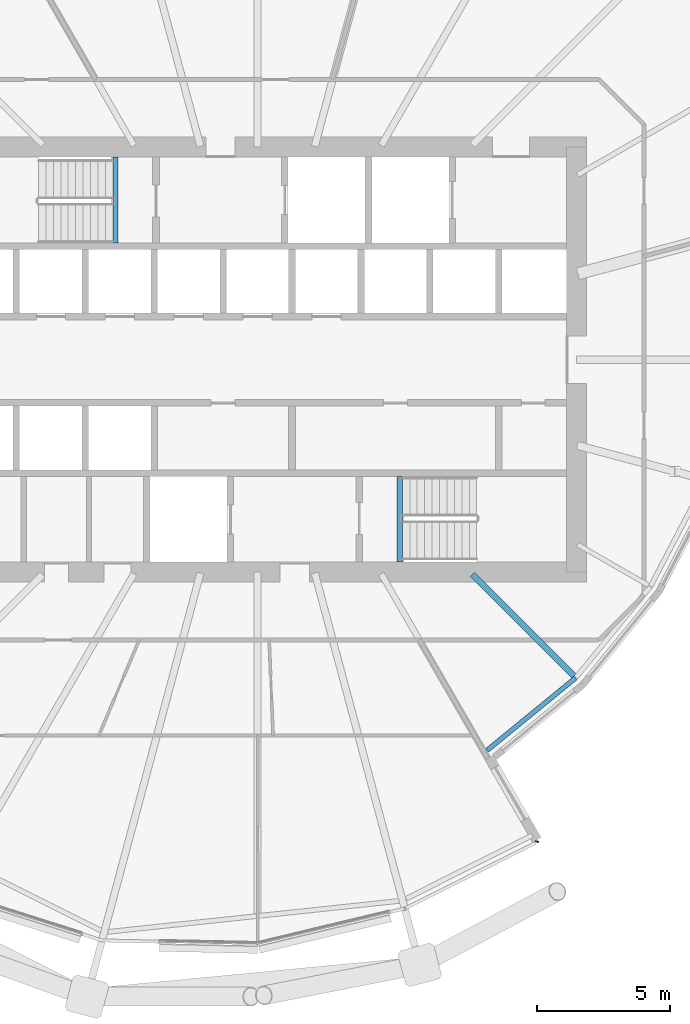
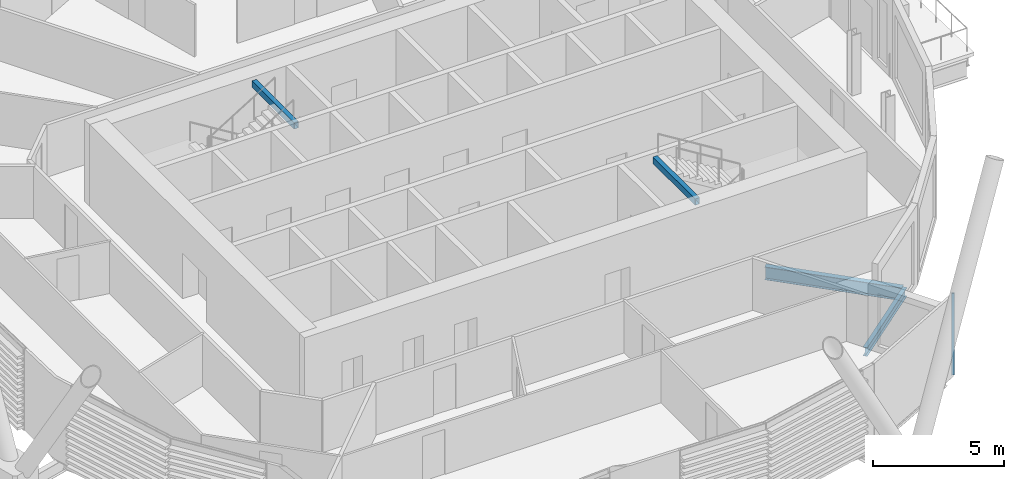
# One storey, part 17 of 38: 4 beams, 1 member, 1 element without a shape of its own.
"""IFC4 building model written with IfcOpenShell, lengths in metres."""

import ifcopenshell
import ifcopenshell.guid

model = None  # the IFC model being written
_history = None  # IfcOwnerHistory: only IFC2X3 demands one
_inside = {}  # id of a spatial element -> (the spatial element, [elements in it])
_under = {}  # id of a project, library or spatial element -> (it, [spatial elements below it])
_declared = {}  # id of a project -> (the project, [libraries it declares])
_typed = {}  # id of a type object -> (the type object, [elements of that type])
_made_of = {}  # id of a material, layer set ... -> (it, [elements and type objects made of it])


def new_model(schema):
    """Start an empty IFC model of exactly this schema.

    Asked for "IFC4X3", IfcOpenShell would pick the latest addendum, in which some entities
    have other attributes; the version numbers below select the first issue.
    IFC2X3 requires an IfcOwnerHistory on every rooted entity: one is made here for all.
    """
    global model, _history
    if schema == "IFC4X3":
        model = ifcopenshell.file(schema_version=(4, 3, 0, 0))
    else:
        model = ifcopenshell.file(schema=schema)
    _inside.clear()
    _under.clear()
    _declared.clear()
    _typed.clear()
    _made_of.clear()
    _history = None
    if model.schema == "IFC2X3":
        org = make("IfcOrganization", Name="unknown")
        user = make(
            "IfcPersonAndOrganization",
            ThePerson=make("IfcPerson", FamilyName="unknown"),
            TheOrganization=org,
        )
        app = make(
            "IfcApplication",
            ApplicationDeveloper=org,
            Version="unknown",
            ApplicationFullName="unknown",
            ApplicationIdentifier="unknown",
        )
        _history = make(
            "IfcOwnerHistory",
            OwningUser=user,
            OwningApplication=app,
            ChangeAction="ADDED",
            CreationDate=0,
        )
    return model


def make(cls, **values):
    """One entity of the class cls with the attributes given. An attribute that is None is left unset."""
    return model.create_entity(
        cls, **{name: value for name, value in values.items() if value is not None}
    )


def rooted(cls, **values):
    """An entity with a GlobalId (a new one), such as an element, a storey or a relation."""
    return make(cls, GlobalId=ifcopenshell.guid.new(), OwnerHistory=_history, **values)


def si_unit(unit_type, name, prefix=None):
    """IfcSIUnit, for example si_unit("LENGTHUNIT", "METRE", prefix="MILLI")."""
    return make("IfcSIUnit", UnitType=unit_type, Prefix=prefix, Name=name)


def assignment(units):
    """IfcUnitAssignment: the units of a project."""
    return None if units is None else make("IfcUnitAssignment", Units=units)


def point(xyz):
    """IfcCartesianPoint."""
    return None if xyz is None else make("IfcCartesianPoint", Coordinates=xyz)


def direction(xyz):
    """IfcDirection."""
    return None if xyz is None else make("IfcDirection", DirectionRatios=xyz)


def frame(location, z_axis=None, x_axis=None):
    """IfcAxis2Placement3D, a coordinate frame: its origin and axes. An axis left out is left unset."""
    return make(
        "IfcAxis2Placement3D",
        Location=point(location),
        Axis=direction(z_axis),
        RefDirection=direction(x_axis),
    )


def frame_2d(location, x_axis=None):
    """IfcAxis2Placement2D, a coordinate frame in the plane: its origin and x axis."""
    return make(
        "IfcAxis2Placement2D", Location=point(location), RefDirection=direction(x_axis)
    )


def origin():
    """The frame at (0, 0, 0) with its axes left unset."""
    return frame((0.0, 0.0, 0.0))


def origin_2d():
    """The frame at (0, 0) in the plane with its x axis left unset."""
    return frame_2d((0.0, 0.0))


def place(relative_to, where):
    """IfcLocalPlacement: puts the frame where relative to a parent placement (None: the world)."""
    return make(
        "IfcLocalPlacement", PlacementRelTo=relative_to, RelativePlacement=where
    )


def context(
    kind, dimensions, precision=None, world=None, true_north=None, identifier=None
):
    """IfcGeometricRepresentationContext, for example the 3D "Model" context."""
    return make(
        "IfcGeometricRepresentationContext",
        ContextIdentifier=identifier,
        ContextType=kind,
        CoordinateSpaceDimension=dimensions,
        Precision=precision,
        WorldCoordinateSystem=world,
        TrueNorth=true_north,
    )


def subcontext(parent, identifier, kind, view, scale=None):
    """IfcGeometricRepresentationSubContext, for example "Body" below "Model"."""
    return make(
        "IfcGeometricRepresentationSubContext",
        ContextIdentifier=identifier,
        ContextType=kind,
        ParentContext=parent,
        TargetScale=scale,
        TargetView=view,
    )


def project(units=None, contexts=None):
    """IfcProject with its units and contexts."""
    return rooted(
        "IfcProject",
        Name="project",
        RepresentationContexts=contexts,
        UnitsInContext=assignment(units),
    )


def spatial(cls, under=None, at=None, **own):
    """A site, building, storey or space (cls), placed at a placement, below another one or the project."""
    s = rooted(cls, ObjectPlacement=at, **own)
    if under is not None:
        _under.setdefault(under.id(), (under, []))[1].append(s)
    return s


def profile(cls, at=None, kind="AREA", **sizes):
    """A parametric profile (cls). Its sizes go by their IFC names, for example OverallWidth=200.0."""
    return make(cls, ProfileType=kind, Position=at, **sizes)


def rectangle(**sizes):
    """IfcRectangleProfileDef."""
    return profile("IfcRectangleProfileDef", **sizes)


def hollow_rectangle(**sizes):
    """IfcRectangleHollowProfileDef."""
    return profile("IfcRectangleHollowProfileDef", **sizes)


def i_section(**sizes):
    """IfcIShapeProfileDef."""
    return profile("IfcIShapeProfileDef", **sizes)


def extrude(swept, where, along, depth):
    """IfcExtrudedAreaSolid: the profile swept, set in the frame where, extruded along a direction by depth."""
    return make(
        "IfcExtrudedAreaSolid",
        SweptArea=swept,
        Position=where,
        ExtrudedDirection=direction(along),
        Depth=depth,
    )


def shape(context_of_items, identifier, shape_type, items):
    """IfcShapeRepresentation: the items that make up one representation, for example the "Body"."""
    return make(
        "IfcShapeRepresentation",
        ContextOfItems=context_of_items,
        RepresentationIdentifier=identifier,
        RepresentationType=shape_type,
        Items=items,
    )


def material(Name=None, Category=None):
    """IfcMaterial."""
    return make("IfcMaterial", Name=Name, Category=Category)


def material_profile(
    of_material, cross_section, Name=None, Category=None, Priority=None
):
    """IfcMaterialProfile: a cross section and its material."""
    return make(
        "IfcMaterialProfile",
        Name=Name,
        Material=of_material,
        Profile=cross_section,
        Priority=Priority,
        Category=Category,
    )


def profile_set(profiles, Name=None, composite=None):
    """IfcMaterialProfileSet."""
    return make(
        "IfcMaterialProfileSet",
        Name=Name,
        MaterialProfiles=profiles,
        CompositeProfile=composite,
    )


def made_of(thing, what):
    """Note that an element or type object is made of a material, layer set ...; save() writes the relation."""
    if what is not None:
        _made_of.setdefault(what.id(), (what, []))[1].append(thing)
    return thing


def type_object(cls, material=None, **own):
    """A type object (cls), such as IfcWallType, which elements share."""
    return made_of(rooted(cls, **own), material)


def element(
    cls,
    number,
    at=None,
    inside=None,
    cuts=None,
    type_object=None,
    material=None,
    context=None,
    identifier="Body",
    shape_type=None,
    held_by="IfcProductDefinitionShape",
    body=None,
    shapes=None,
    **own,
):
    """One element of the class cls, such as IfcWall. Its Tag is "e" and its number.

    at: its placement. inside: the storey or other place that contains it. cuts: it is an
    opening in that element (IfcRelVoidsElement). A single representation is given by context,
    identifier, shape_type and body (its items); several are given by shapes. held_by: the class
    of the entity that holds the representations. save() writes the other relations.
    """
    e = rooted(cls, Tag="e%d" % number, ObjectPlacement=at, **own)
    if body is not None:
        shapes = [shape(context, identifier, shape_type, body)]
    if shapes is not None:
        e.Representation = make(held_by, Representations=shapes)
    if inside is not None:
        _inside.setdefault(inside.id(), (inside, []))[1].append(e)
    if cuts is not None:
        rooted(
            "IfcRelVoidsElement", RelatingBuildingElement=cuts, RelatedOpeningElement=e
        )
    if type_object is not None:
        _typed.setdefault(type_object.id(), (type_object, []))[1].append(e)
    return made_of(e, material)


def aggregate(whole, parts):
    """IfcRelAggregates: a whole, such as a stair, and the parts it consists of."""
    return rooted("IfcRelAggregates", RelatingObject=whole, RelatedObjects=parts)


def save(model, path):
    """Write the relations noted so far, then the file.

    IfcRelAggregates (storeys below a building ...), IfcRelContainedInSpatialStructure (elements
    in a storey), IfcRelDefinesByType, IfcRelAssociatesMaterial and IfcRelDeclares: one each for
    every whole, place, type object, material and project.
    """
    for whole, parts in _under.values():
        aggregate(whole, parts)
    for where, things in _inside.values():
        rooted(
            "IfcRelContainedInSpatialStructure",
            RelatedElements=things,
            RelatingStructure=where,
        )
    for kind, things in _typed.values():
        rooted("IfcRelDefinesByType", RelatedObjects=things, RelatingType=kind)
    for what, things in _made_of.values():
        rooted("IfcRelAssociatesMaterial", RelatedObjects=things, RelatingMaterial=what)
    for by, libraries in _declared.values():
        rooted("IfcRelDeclares", RelatingContext=by, RelatedDefinitions=libraries)
    model.write(path)


model = new_model("IFC4")

# Units and contexts
model_context = context("Model", 3, precision=1e-05, world=origin(), true_north=direction((0.0, 1.0)))
body_context = subcontext(model_context, "Body", "Model", "MODEL_VIEW")
ifc_project = project(units=[si_unit("LENGTHUNIT", "METRE"), si_unit("AREAUNIT", "SQUARE_METRE"), si_unit("VOLUMEUNIT", "CUBIC_METRE"), si_unit("PLANEANGLEUNIT", "RADIAN"), si_unit("MASSUNIT", "GRAM", prefix="KILO")], contexts=[model_context])

# Site, building, storey
site_placement = place(None, origin())
site = spatial("IfcSite", under=ifc_project, at=site_placement, CompositionType="ELEMENT")
building_placement = place(site_placement, origin())
building = spatial("IfcBuilding", under=site, at=building_placement, Name="Rimbun Link Towers", CompositionType="ELEMENT")
storey_placement = place(building_placement, frame((0.0, 0.0, 104.39990234375)))
storey = spatial("IfcBuildingStorey", under=building, at=storey_placement, Name="L25", CompositionType="ELEMENT", Elevation=104.39990234375)

# Curtain wall, member
ifc_material_1 = material(Name="Aluminium 6063-T6 and low-iron glass", Category="aluminium")
curtain_wall_type = type_object("IfcCurtainWallType", Name="CW1-Z2 unitised vision wall (zone 2)", PredefinedType="NOTDEFINED", material=ifc_material_1)
curtain_wall_placement = place(storey_placement, origin())
curtain_wall = element("IfcCurtainWall", 1, at=curtain_wall_placement, inside=storey, type_object=curtain_wall_type, Name="CW1 L25 T2", PredefinedType="NOTDEFINED")
ifc_material_2 = material(Name="Aluminium 6063-T6", Category="aluminium")
ifc_material_profile_1 = material_profile(ifc_material_2, rectangle(XDim=0.1201171875, YDim=0.06005859375, at=origin_2d()), Name="MULLION 60X120")
ifc_profile_set_1 = profile_set([ifc_material_profile_1], Name="Aluminium 6063-T6")
member_type = type_object("IfcMemberType", Name="CW1 mullion 60X120", PredefinedType="MULLION", material=ifc_profile_set_1)
member_placement = place(storey_placement, frame((42.27294921875, -18.143798828125, 0.0), z_axis=(0.0, 0.0, 1.0), x_axis=(0.957987758678, -0.286809090204, 0.0)))
member = element("IfcMember", 2, at=member_placement, type_object=member_type, Name="CW1 mullion", PredefinedType="MULLION", context=body_context, shape_type="SweptSolid", body=[
    extrude(rectangle(XDim=0.1201171875, YDim=0.06005859375, at=origin_2d()), origin(), (0.0, 0.0, 1.0), 3.800048828125),
])
aggregate(curtain_wall, [member])

# Beams
ifc_material_3 = material(Name="Steel S355J2", Category="steel")
ifc_material_profile_2 = material_profile(ifc_material_3, hollow_rectangle(XDim=0.199951171875, YDim=0.300048828125, WallThickness=0.011962890625, at=origin_2d()), Name="BOX 300x200x12")
ifc_profile_set_2 = profile_set([ifc_material_profile_2], Name="Steel S355J2")
beam_type_1 = type_object("IfcBeamType", Name="Stair trimmer beam BOX 300x200x12", PredefinedType="BEAM", material=ifc_profile_set_2)
for number, where, z_axis, x_axis, name in (
    (3, (26.39990234375, 7.625, 3.489990234375), (0.0, -1.0, 0.0), (1.0, 0.0, 0.0), "L25 ST3 stair beam 1"),
    (4, (37.10009765625, -7.625, 3.489990234375), (0.0, 1.0, 0.0), (-1.0, 0.0, 0.0), "L25 ST4 stair beam 1"),
):
    element("IfcBeam", number, at=place(storey_placement, frame(where, z_axis=z_axis, x_axis=x_axis)), inside=storey, type_object=beam_type_1, Name=name, PredefinedType="BEAM", context=body_context, shape_type="SweptSolid", body=[
        extrude(hollow_rectangle(XDim=0.199951171875, YDim=0.300048828125, WallThickness=0.011962890625, at=origin_2d()), origin(), (0.0, 0.0, 1.0), 3.22509765625),
    ])
ifc_material_4 = material(Name="Steel S355J2", Category="steel")
ifc_material_profile_3 = material_profile(ifc_material_4, i_section(OverallWidth=0.177978515625, OverallDepth=0.406494140625, WebThickness=0.0078125, FlangeThickness=0.0126953125, at=origin_2d()), Name="UB 406x178x60")
ifc_profile_set_3 = profile_set([ifc_material_profile_3], Name="Steel S355J2")
beam_type_2 = type_object("IfcBeamType", Name="UB 406x178x60", PredefinedType="BEAM", material=ifc_profile_set_3)
beam_1_placement = place(storey_placement, frame((40.389892578125, -14.70654296875, -0.363037109375), z_axis=(0.773876366634, 0.633336694946, 0.0), x_axis=(-0.633336694946, 0.773876366634, 0.0)))
element("IfcBeam", 5, at=beam_1_placement, inside=storey, type_object=beam_type_2, Name="Edge beam T2 L25 17 recess", PredefinedType="BEAM", context=body_context, shape_type="SweptSolid", body=[
    extrude(i_section(OverallWidth=0.177978515625, OverallDepth=0.406494140625, WebThickness=0.0078125, FlangeThickness=0.0126953125, at=origin_2d()), origin(), (0.0, 0.0, 1.0), 4.30126953125),
])
ifc_material_5 = material(Name="Steel S355J2", Category="steel")
ifc_material_profile_4 = material_profile(ifc_material_5, i_section(OverallWidth=0.2275390625, OverallDepth=0.6025390625, WebThickness=0.010498046875, FlangeThickness=0.014892578125, at=origin_2d()), Name="UB 610x229x101")
ifc_profile_set_4 = profile_set([ifc_material_profile_4], Name="Steel S355J2")
beam_type_3 = type_object("IfcBeamType", Name="UB 610x229x101", PredefinedType="BEAM", material=ifc_profile_set_4)
beam_2_placement = place(storey_placement, frame((39.831298828125, -8.081298828125, -0.461181640625), z_axis=(0.707106781187, -0.707106781187, 0.0), x_axis=(0.707106781187, 0.707106781187, 0.0)))
element("IfcBeam", 6, at=beam_2_placement, inside=storey, type_object=beam_type_3, Name="Radial beam T2 L25 18", PredefinedType="BEAM", context=body_context, shape_type="SweptSolid", body=[
    extrude(i_section(OverallWidth=0.2275390625, OverallDepth=0.6025390625, WebThickness=0.010498046875, FlangeThickness=0.014892578125, at=origin_2d()), origin(), (0.0, 0.0, 1.0), 5.418212890625),
])

save(model, "model.ifc")
